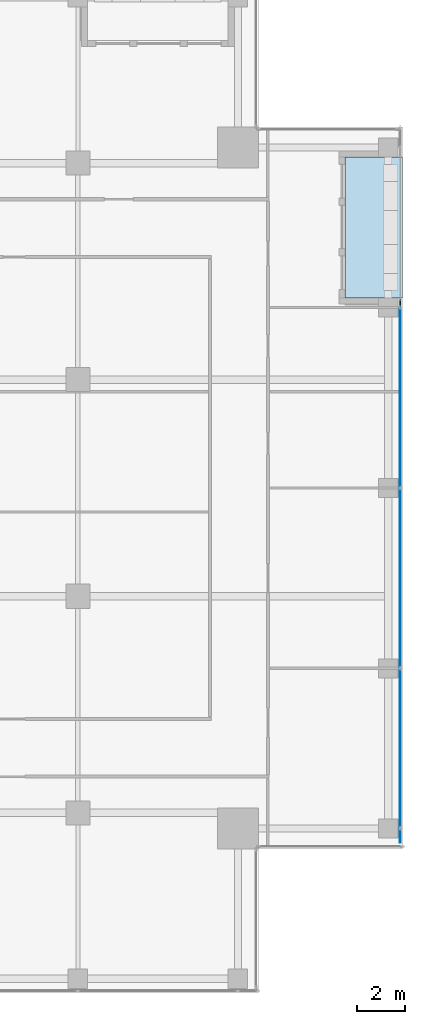
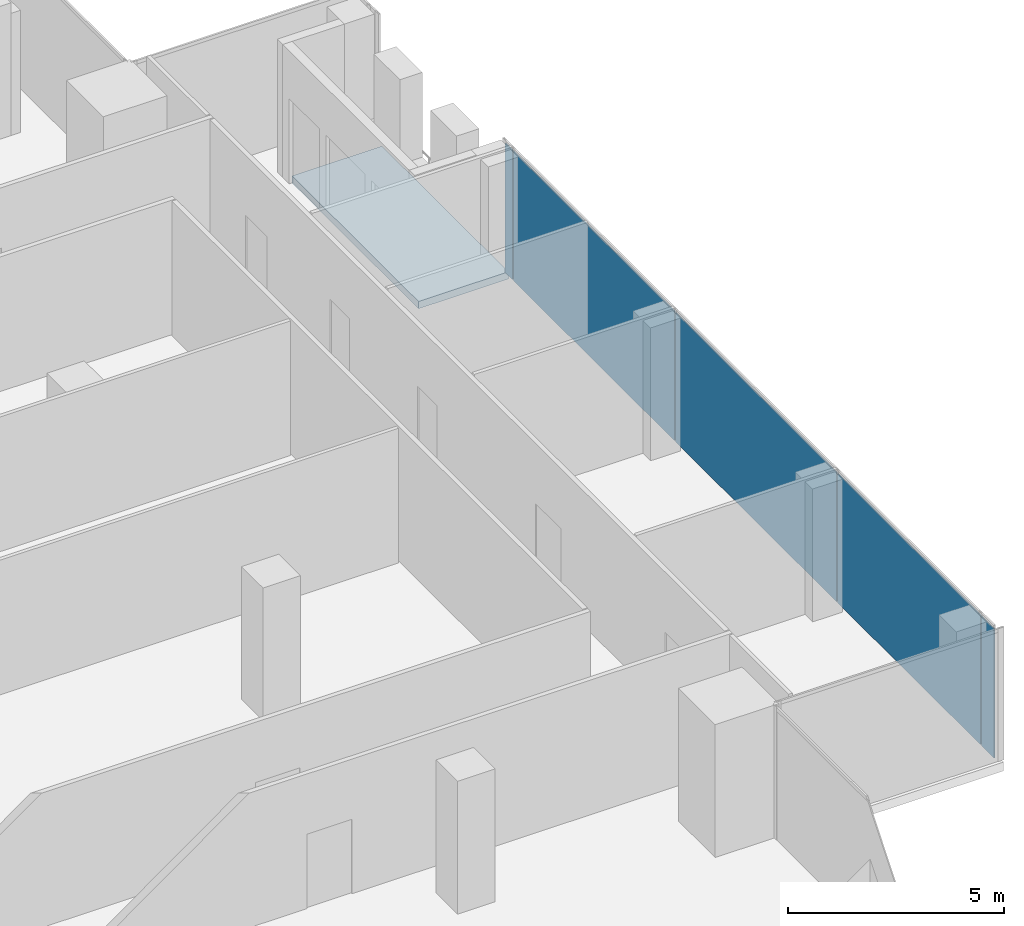
# One storey, part 22 of 29: 5 plates, 1 slab, 1 element without a shape of its own.
"""IFC4 building model written with IfcOpenShell, lengths in metres."""

from ifc_helpers import new_model, si_unit, direction, frame, origin, origin_2d, place, context, subcontext, project, spatial, polyline, rectangle, outline, extrude, source, transform, mapped, material, layer, layer_set, type_object, element, aggregate, save


model = new_model("IFC4")

# Units and contexts
model_context = context("Model", 3, precision=1e-05, world=origin(), true_north=direction((0.0, 1.0)))
body_context = subcontext(model_context, "Body", "Model", "MODEL_VIEW")
ifc_project = project(units=[si_unit("LENGTHUNIT", "METRE"), si_unit("AREAUNIT", "SQUARE_METRE"), si_unit("VOLUMEUNIT", "CUBIC_METRE"), si_unit("PLANEANGLEUNIT", "RADIAN"), si_unit("MASSUNIT", "GRAM", prefix="KILO")], contexts=[model_context])

# Site, building, storey
site_placement = place(None, origin())
site = spatial("IfcSite", under=ifc_project, at=site_placement, CompositionType="ELEMENT")
building_placement = place(site_placement, origin())
building = spatial("IfcBuilding", under=site, at=building_placement, Name="Khomas Fold Tower", CompositionType="ELEMENT")
storey_placement = place(building_placement, frame((0.0, 0.0, 314.199951171875)))
storey = spatial("IfcBuildingStorey", under=building, at=storey_placement, Name="L71", CompositionType="ELEMENT", Elevation=314.199951171875)

# Curtain wall, plates
ifc_material_1 = material(Name="Aluminium framed double glazing", Category="aluminium")
curtain_wall_type = type_object("IfcCurtainWallType", Name="SK-Unitised clear-glass wall, upper floors CW3", PredefinedType="NOTDEFINED", material=ifc_material_1)
curtain_wall_placement = place(storey_placement, origin())
curtain_wall = element("IfcCurtainWall", 1, at=curtain_wall_placement, inside=storey, type_object=curtain_wall_type, Name="CW3 run L71 03-0", PredefinedType="NOTDEFINED")
ifc_material_2 = material(Name="Clear double glazed unit")
ifc_layer_1 = layer(ifc_material_2, 0.028076171875)
ifc_layer_set_1 = layer_set([ifc_layer_1], Name="Clear double glazed unit")
plate_type = type_object("IfcPlateType", Name="SK-Unitised clear-glass wall, upper floors glass panel CW3-P", PredefinedType="CURTAIN_PANEL", material=ifc_layer_set_1)
shared_shape_1 = source(origin(), body_context, "Body", "SweptSolid", [
    extrude(rectangle(XDim=0.574951171875, YDim=0.028076171875, at=origin_2d()), origin(), (0.0, 0.0, 1.0), 3.64990234375),
])
plate_1_placement = place(storey_placement, frame((47.89990234375, 12.53759765625, 0.0), z_axis=(0.0, 0.0, 1.0), x_axis=(0.0, 1.0, 0.0)))
plate_1 = element("IfcPlate", 2, at=plate_1_placement, type_object=plate_type, Name="CW3 glass panel 1", PredefinedType="CURTAIN_PANEL", context=body_context, shape_type="MappedRepresentation", body=[
    mapped(shared_shape_1, transform((0.0, 0.0, 0.0))),
])
shared_shape_2 = source(origin(), body_context, "Body", "SweptSolid", [
    extrude(rectangle(XDim=6.60009765625, YDim=0.028076171875, at=origin_2d()), origin(), (0.0, 0.0, 1.0), 3.64990234375),
])
plate_2_placement = place(storey_placement, frame((47.89990234375, 16.175048828125, 0.0), z_axis=(0.0, 0.0, 1.0), x_axis=(0.0, 1.0, 0.0)))
plate_2 = element("IfcPlate", 3, at=plate_2_placement, type_object=plate_type, Name="CW3 glass panel 2", PredefinedType="CURTAIN_PANEL", context=body_context, shape_type="MappedRepresentation", body=[
    mapped(shared_shape_2, transform((0.0, 0.0, 0.0))),
])
shared_shape_3 = source(origin(), body_context, "Body", "SweptSolid", [
    extrude(rectangle(XDim=7.449951171875, YDim=0.028076171875, at=origin_2d()), origin(), (0.0, 0.0, 1.0), 3.64990234375),
])
plate_3_placement = place(storey_placement, frame((47.89990234375, 23.25, 0.0), z_axis=(0.0, 0.0, 1.0), x_axis=(0.0, 1.0, 0.0)))
plate_3 = element("IfcPlate", 4, at=plate_3_placement, type_object=plate_type, Name="CW3 glass panel 3", PredefinedType="CURTAIN_PANEL", context=body_context, shape_type="MappedRepresentation", body=[
    mapped(shared_shape_3, transform((0.0, 0.0, 0.0))),
])
plate_4_placement = place(storey_placement, frame((47.89990234375, 30.75, 0.0), z_axis=(0.0, 0.0, 1.0), x_axis=(0.0, 1.0, 0.0)))
plate_4 = element("IfcPlate", 5, at=plate_4_placement, type_object=plate_type, Name="CW3 glass panel 4", PredefinedType="CURTAIN_PANEL", context=body_context, shape_type="MappedRepresentation", body=[
    mapped(shared_shape_3, transform((0.0, 0.0, 0.0))),
])
shared_shape_4 = source(origin(), body_context, "Body", "SweptSolid", [
    extrude(rectangle(XDim=0.324951171875, YDim=0.028076171875, at=origin_2d()), origin(), (0.0, 0.0, 1.0), 3.64990234375),
])
plate_5_placement = place(storey_placement, frame((47.89990234375, 34.6875, 0.0), z_axis=(0.0, 0.0, 1.0), x_axis=(0.0, 1.0, 0.0)))
plate_5 = element("IfcPlate", 6, at=plate_5_placement, type_object=plate_type, Name="CW3 glass panel 5", PredefinedType="CURTAIN_PANEL", context=body_context, shape_type="MappedRepresentation", body=[
    mapped(shared_shape_4, transform((0.0, 0.0, 0.0))),
])
aggregate(curtain_wall, [plate_1, plate_2, plate_3, plate_4, plate_5])

# Slab
ifc_material_3 = material(Name="Concrete C40/50", Category="concrete")
ifc_layer_2 = layer(ifc_material_3, 0.205078125)
ifc_layer_set_2 = layer_set([ifc_layer_2], Name="Concrete C40/50")
slab_type = type_object("IfcSlabType", Name="BL-Balcony deck 205", PredefinedType="FLOOR", material=ifc_layer_set_2)
shared_shape_5 = source(origin(), body_context, "Body", "SweptSolid", [
    extrude(outline(polyline([(45.60009765625, 34.89990234375), (48.0, 34.89990234375), (48.0, 40.75), (45.60009765625, 40.75), (45.60009765625, 34.89990234375)])), origin(), (0.0, 0.0, 1.0), 0.205078125),
])
slab_placement = place(storey_placement, frame((0.0, 0.0, -0.25)))
element("IfcSlab", 7, at=slab_placement, inside=storey, type_object=slab_type, Name="Balcony deck BAL-L71-E4", PredefinedType="FLOOR", context=body_context, shape_type="MappedRepresentation", body=[
    mapped(shared_shape_5, transform((0.0, 0.0, 0.0))),
])

save(model, "model.ifc")
